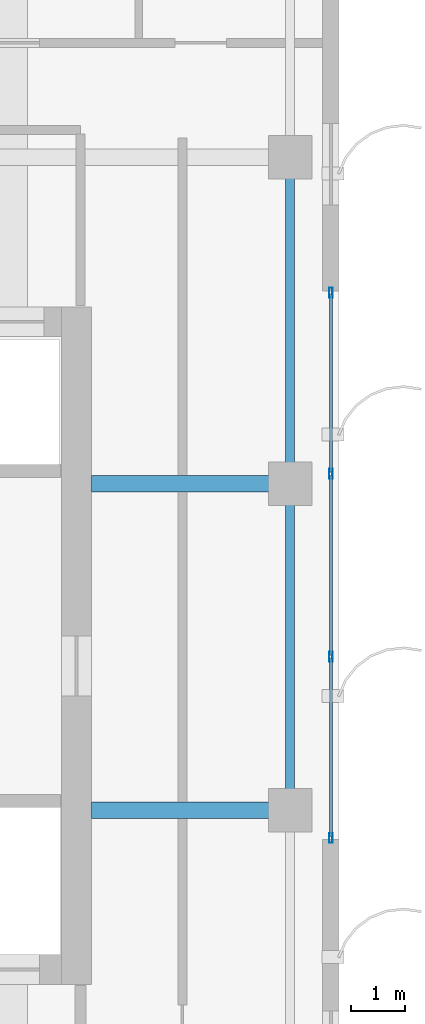
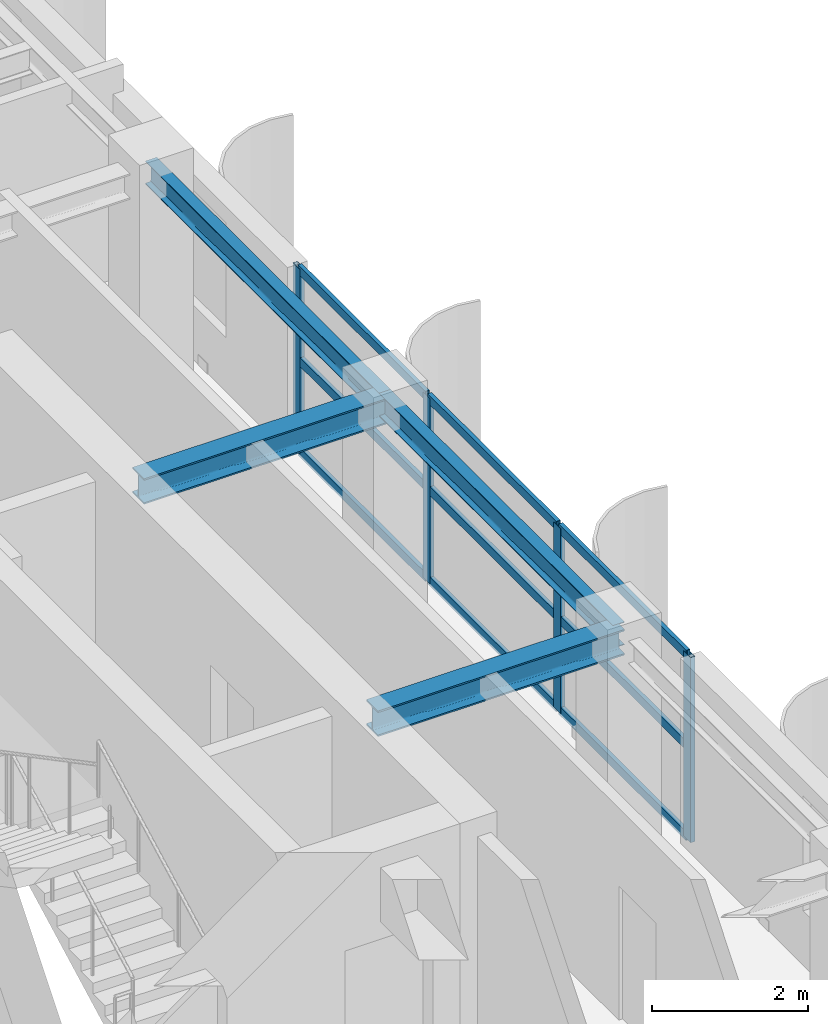
# One storey, part 8 of 19: 13 members, 4 beams, 1 element without a shape of its own.
"""IFC4 building model written with IfcOpenShell, lengths in metres."""

from ifc_helpers import new_model, si_unit, direction, frame, origin, origin_2d, place, context, subcontext, project, spatial, hollow_rectangle, i_section, extrude, source, transform, mapped, material, layer, layer_set, material_profile, profile_set, type_object, element, aggregate, save


model = new_model("IFC4")

# Units and contexts
model_context = context("Model", 3, precision=1e-05, world=origin(), true_north=direction((0.0, 1.0)))
body_context = subcontext(model_context, "Body", "Model", "MODEL_VIEW")
ifc_project = project(units=[si_unit("LENGTHUNIT", "METRE"), si_unit("AREAUNIT", "SQUARE_METRE"), si_unit("VOLUMEUNIT", "CUBIC_METRE"), si_unit("PLANEANGLEUNIT", "RADIAN"), si_unit("MASSUNIT", "GRAM", prefix="KILO")], contexts=[model_context])

# Site, building, storey
site_placement = place(None, origin())
site = spatial("IfcSite", under=ifc_project, at=site_placement, CompositionType="ELEMENT")
building_placement = place(site_placement, origin())
building = spatial("IfcBuilding", under=site, at=building_placement, Name="Khoralis Quay Care Tower", CompositionType="ELEMENT")
storey_placement = place(building_placement, frame((0.0, 0.0, 281.699951171875)))
storey = spatial("IfcBuildingStorey", under=building, at=storey_placement, Name="L74", CompositionType="ELEMENT", Elevation=281.699951171875)

# Beams
ifc_material_1 = material(Name="Steel S355", Category="steel")
ifc_material_profile_1 = material_profile(ifc_material_1, i_section(OverallWidth=0.169921875, OverallDepth=0.360107421875, WebThickness=0.008056640625, FlangeThickness=0.0126953125, FilletRadius=0.01806640625, at=origin_2d()), Name="Steel S355")
ifc_profile_set_1 = profile_set([ifc_material_profile_1], Name="Steel S355")
beam_type_1 = type_object("IfcBeamType", Name="BM-IPE360", PredefinedType="SPANDREL", material=ifc_profile_set_1)
shared_shape_1 = source(origin(), body_context, "Body", "SweptSolid", [
    extrude(i_section(OverallWidth=0.169921875, OverallDepth=0.360107421875, WebThickness=0.008056640625, FlangeThickness=0.0126953125, FilletRadius=0.01806640625, at=origin_2d()), origin(), (0.0, 0.0, 1.0), 6.0),
])
for number, where, z_axis, x_axis, name in (
    (1, (41.10009765625, 18.0, 3.14013671875), (0.0, 1.0, 0.0), (-1.0, 0.0, 0.0), "BM-TSP-L74-14"),
    (2, (41.10009765625, 24.0, 3.14013671875), (0.0, 1.0, 0.0), (-1.0, 0.0, 0.0), "BM-TSP-L74-15"),
):
    element("IfcBeam", number, at=place(storey_placement, frame(where, z_axis=z_axis, x_axis=x_axis)), inside=storey, type_object=beam_type_1, Name=name, PredefinedType="SPANDREL", context=body_context, shape_type="MappedRepresentation", body=[
        mapped(shared_shape_1, transform((0.0, 0.0, 0.0), scale=1.0)),
    ])
ifc_material_profile_2 = material_profile(ifc_material_1, i_section(OverallWidth=0.300048828125, OverallDepth=0.39990234375, WebThickness=0.013427734375, FlangeThickness=0.02392578125, FilletRadius=0.027099609375, at=origin_2d()), Name="Steel S355")
ifc_profile_set_2 = profile_set([ifc_material_profile_2], Name="Steel S355")
beam_type_2 = type_object("IfcBeamType", Name="BM-HEB400", PredefinedType="BEAM", material=ifc_profile_set_2)
shared_shape_2 = source(origin(), body_context, "Body", "SweptSolid", [
    extrude(i_section(OverallWidth=0.300048828125, OverallDepth=0.39990234375, WebThickness=0.013427734375, FlangeThickness=0.02392578125, FilletRadius=0.027099609375, at=origin_2d()), origin(), (0.0, 0.0, 1.0), 3.652099609375),
])
for number, where, z_axis, x_axis, name in (
    (3, (37.447998046875, 18.0, 3.1201171875), (1.0, 0.0, 0.0), (0.0, 1.0, 0.0), "BM-TGXE-L74-180"),
    (4, (37.447998046875, 24.0, 3.1201171875), (1.0, 0.0, 0.0), (0.0, 1.0, 0.0), "BM-TGXE-L74-240"),
):
    element("IfcBeam", number, at=place(storey_placement, frame(where, z_axis=z_axis, x_axis=x_axis)), inside=storey, type_object=beam_type_2, Name=name, PredefinedType="BEAM", context=body_context, shape_type="MappedRepresentation", body=[
        mapped(shared_shape_2, transform((0.0, 0.0, 0.0), scale=1.0)),
    ])

# Curtain wall, members
ifc_material_2 = material(Name="Pale anodised aluminium", Category="aluminium")
ifc_layer = layer(ifc_material_2, 0.159912109375)
ifc_layer_set = layer_set([ifc_layer], Name="Pale anodised aluminium")
curtain_wall_type = type_object("IfcCurtainWallType", Name="CW-SYS-Z3", PredefinedType="NOTDEFINED", material=ifc_layer_set)
curtain_wall_placement = place(storey_placement, origin())
curtain_wall = element("IfcCurtainWall", 5, at=curtain_wall_placement, inside=storey, type_object=curtain_wall_type, Name="L74 Unitised Curtain Wall CW-L74-P1-E5", PredefinedType="NOTDEFINED")
ifc_material_profile_3 = material_profile(ifc_material_2, hollow_rectangle(XDim=0.06005859375, YDim=0.139892578125, WallThickness=0.00390625, at=origin_2d()), Name="Pale anodised aluminium")
ifc_profile_set_3 = profile_set([ifc_material_profile_3], Name="Pale anodised aluminium")
member_type_1 = type_object("IfcMemberType", Name="CW-TRN-140", PredefinedType="USERDEFINED", material=ifc_profile_set_3)
shared_shape_3 = source(origin(), body_context, "Body", "SweptSolid", [
    extrude(hollow_rectangle(XDim=0.06005859375, YDim=0.139892578125, WallThickness=0.00390625, at=origin_2d()), origin(), (0.0, 0.0, 1.0), 3.27001953125),
])
member_1_placement = place(storey_placement, frame((41.85009765625, 17.52001953125, 0.030029296875), z_axis=(0.0, 1.0, 0.0), x_axis=(-1.0, 0.0, 0.0)))
member_1 = element("IfcMember", 6, at=member_1_placement, type_object=member_type_1, Name="CW3 transom 1.1", ObjectType="TRANSOM", PredefinedType="USERDEFINED", context=body_context, shape_type="MappedRepresentation", body=[
    mapped(shared_shape_3, transform((0.0, 0.0, 0.0), scale=1.0)),
])
member_2_placement = place(storey_placement, frame((41.85009765625, 17.52001953125, 1.449951171875), z_axis=(0.0, 1.0, 0.0), x_axis=(-1.0, 0.0, 0.0)))
member_2 = element("IfcMember", 7, at=member_2_placement, type_object=member_type_1, Name="CW3 transom 1.2", ObjectType="TRANSOM", PredefinedType="USERDEFINED", context=body_context, shape_type="MappedRepresentation", body=[
    mapped(shared_shape_3, transform((0.0, 0.0, 0.0), scale=1.0)),
])
member_3_placement = place(storey_placement, frame((41.85009765625, 17.52001953125, 2.8701171875), z_axis=(0.0, 1.0, 0.0), x_axis=(-1.0, 0.0, 0.0)))
member_3 = element("IfcMember", 8, at=member_3_placement, type_object=member_type_1, Name="CW3 transom 1.3", ObjectType="TRANSOM", PredefinedType="USERDEFINED", context=body_context, shape_type="MappedRepresentation", body=[
    mapped(shared_shape_3, transform((0.0, 0.0, 0.0), scale=1.0)),
])
member_4_placement = place(storey_placement, frame((41.85009765625, 24.2099609375, 0.030029296875), z_axis=(0.0, 1.0, 0.0), x_axis=(-1.0, 0.0, 0.0)))
member_4 = element("IfcMember", 9, at=member_4_placement, type_object=member_type_1, Name="CW3 transom 3.1", ObjectType="TRANSOM", PredefinedType="USERDEFINED", context=body_context, shape_type="MappedRepresentation", body=[
    mapped(shared_shape_3, transform((0.0, 0.0, 0.0), scale=1.0)),
])
member_5_placement = place(storey_placement, frame((41.85009765625, 24.2099609375, 1.449951171875), z_axis=(0.0, 1.0, 0.0), x_axis=(-1.0, 0.0, 0.0)))
member_5 = element("IfcMember", 10, at=member_5_placement, type_object=member_type_1, Name="CW3 transom 3.2", ObjectType="TRANSOM", PredefinedType="USERDEFINED", context=body_context, shape_type="MappedRepresentation", body=[
    mapped(shared_shape_3, transform((0.0, 0.0, 0.0), scale=1.0)),
])
member_6_placement = place(storey_placement, frame((41.85009765625, 24.2099609375, 2.8701171875), z_axis=(0.0, 1.0, 0.0), x_axis=(-1.0, 0.0, 0.0)))
member_6 = element("IfcMember", 11, at=member_6_placement, type_object=member_type_1, Name="CW3 transom 3.3", ObjectType="TRANSOM", PredefinedType="USERDEFINED", context=body_context, shape_type="MappedRepresentation", body=[
    mapped(shared_shape_3, transform((0.0, 0.0, 0.0), scale=1.0)),
])
shared_shape_4 = source(origin(), body_context, "Body", "SweptSolid", [
    extrude(hollow_rectangle(XDim=0.06005859375, YDim=0.139892578125, WallThickness=0.00390625, at=origin_2d()), origin(), (0.0, 0.0, 1.0), 3.2998046875),
])
member_7_placement = place(storey_placement, frame((41.85009765625, 20.85009765625, 0.030029296875), z_axis=(0.0, 1.0, 0.0), x_axis=(-1.0, 0.0, 0.0)))
member_7 = element("IfcMember", 12, at=member_7_placement, type_object=member_type_1, Name="CW3 transom 2.1", ObjectType="TRANSOM", PredefinedType="USERDEFINED", context=body_context, shape_type="MappedRepresentation", body=[
    mapped(shared_shape_4, transform((0.0, 0.0, 0.0), scale=1.0)),
])
member_8_placement = place(storey_placement, frame((41.85009765625, 20.85009765625, 1.449951171875), z_axis=(0.0, 1.0, 0.0), x_axis=(-1.0, 0.0, 0.0)))
member_8 = element("IfcMember", 13, at=member_8_placement, type_object=member_type_1, Name="CW3 transom 2.2", ObjectType="TRANSOM", PredefinedType="USERDEFINED", context=body_context, shape_type="MappedRepresentation", body=[
    mapped(shared_shape_4, transform((0.0, 0.0, 0.0), scale=1.0)),
])
member_9_placement = place(storey_placement, frame((41.85009765625, 20.85009765625, 2.8701171875), z_axis=(0.0, 1.0, 0.0), x_axis=(-1.0, 0.0, 0.0)))
member_9 = element("IfcMember", 14, at=member_9_placement, type_object=member_type_1, Name="CW3 transom 2.3", ObjectType="TRANSOM", PredefinedType="USERDEFINED", context=body_context, shape_type="MappedRepresentation", body=[
    mapped(shared_shape_4, transform((0.0, 0.0, 0.0), scale=1.0)),
])
ifc_material_profile_4 = material_profile(ifc_material_2, hollow_rectangle(XDim=0.06494140625, YDim=0.179931640625, WallThickness=0.00390625, at=origin_2d()), Name="Pale anodised aluminium")
ifc_profile_set_4 = profile_set([ifc_material_profile_4], Name="Pale anodised aluminium")
member_type_2 = type_object("IfcMemberType", Name="CW-MUL-180", PredefinedType="MULLION", material=ifc_profile_set_4)
shared_shape_5 = source(origin(), body_context, "Body", "SweptSolid", [
    extrude(hollow_rectangle(XDim=0.06494140625, YDim=0.179931640625, WallThickness=0.00390625, at=origin_2d()), origin(), (0.0, 0.0, 1.0), 2.900146484375),
])
member_10_placement = place(storey_placement, frame((41.85009765625, 17.489990234375, 0.0), z_axis=(0.0, 0.0, 1.0), x_axis=(-1.0, 0.0, 0.0)))
member_10 = element("IfcMember", 15, at=member_10_placement, type_object=member_type_2, Name="CW3 mullion 1", PredefinedType="MULLION", context=body_context, shape_type="MappedRepresentation", body=[
    mapped(shared_shape_5, transform((0.0, 0.0, 0.0), scale=1.0)),
])
member_11_placement = place(storey_placement, frame((41.85009765625, 20.820068359375, 0.0), z_axis=(0.0, 0.0, 1.0), x_axis=(-1.0, 0.0, 0.0)))
member_11 = element("IfcMember", 16, at=member_11_placement, type_object=member_type_2, Name="CW3 mullion 2", PredefinedType="MULLION", context=body_context, shape_type="MappedRepresentation", body=[
    mapped(shared_shape_5, transform((0.0, 0.0, 0.0), scale=1.0)),
])
member_12_placement = place(storey_placement, frame((41.85009765625, 24.179931640625, 0.0), z_axis=(0.0, 0.0, 1.0), x_axis=(-1.0, 0.0, 0.0)))
member_12 = element("IfcMember", 17, at=member_12_placement, type_object=member_type_2, Name="CW3 mullion 3", PredefinedType="MULLION", context=body_context, shape_type="MappedRepresentation", body=[
    mapped(shared_shape_5, transform((0.0, 0.0, 0.0), scale=1.0)),
])
member_13_placement = place(storey_placement, frame((41.85009765625, 27.510009765625, 0.0), z_axis=(0.0, 0.0, 1.0), x_axis=(-1.0, 0.0, 0.0)))
member_13 = element("IfcMember", 18, at=member_13_placement, type_object=member_type_2, Name="CW3 mullion 4", PredefinedType="MULLION", context=body_context, shape_type="MappedRepresentation", body=[
    mapped(shared_shape_5, transform((0.0, 0.0, 0.0), scale=1.0)),
])
aggregate(curtain_wall, [member_10, member_11, member_12, member_13, member_1, member_2, member_3, member_7, member_8, member_9, member_4, member_5, member_6])

save(model, "model.ifc")
